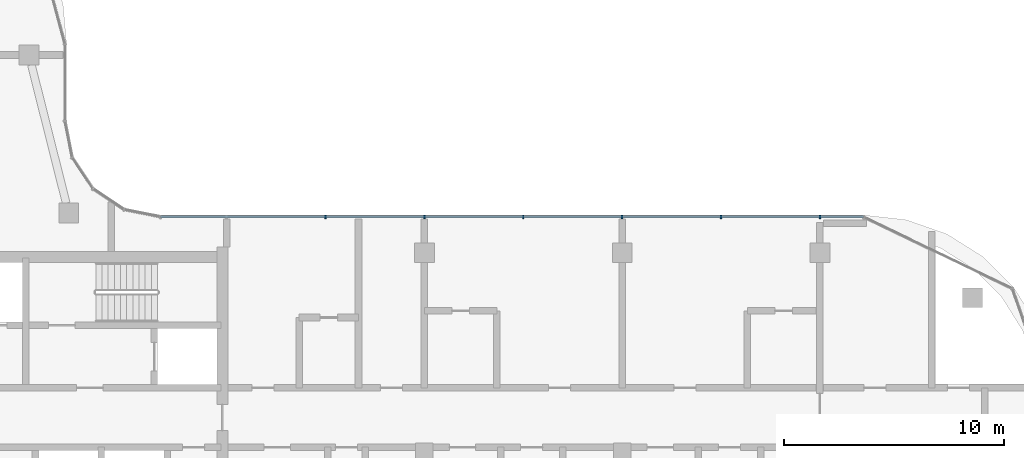
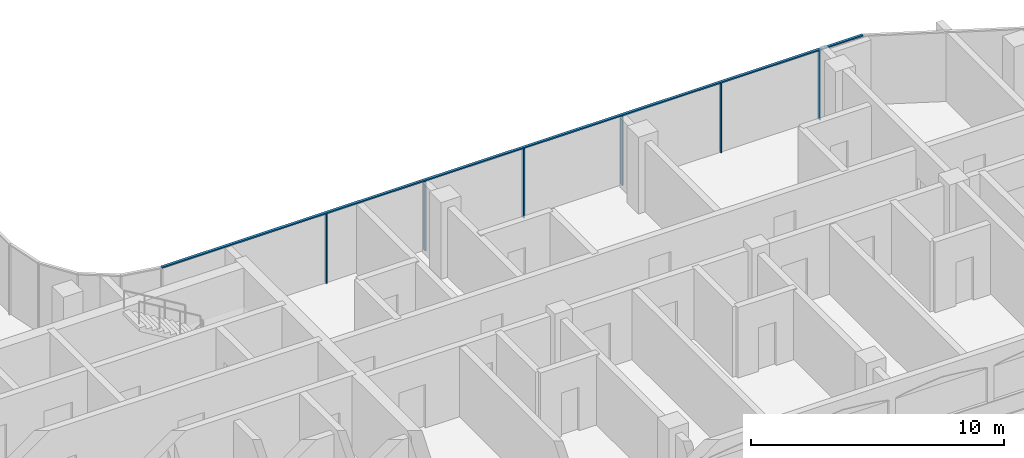
# One storey, part 4 of 19: 7 members, 1 element without a shape of its own.
"""IFC4 building model written with IfcOpenShell, lengths in metres."""

import ifcopenshell
import ifcopenshell.guid

model = None  # the IFC model being written
_history = None  # IfcOwnerHistory: only IFC2X3 demands one
_inside = {}  # id of a spatial element -> (the spatial element, [elements in it])
_under = {}  # id of a project, library or spatial element -> (it, [spatial elements below it])
_declared = {}  # id of a project -> (the project, [libraries it declares])
_typed = {}  # id of a type object -> (the type object, [elements of that type])
_made_of = {}  # id of a material, layer set ... -> (it, [elements and type objects made of it])


def new_model(schema):
    """Start an empty IFC model of exactly this schema.

    Asked for "IFC4X3", IfcOpenShell would pick the latest addendum, in which some entities
    have other attributes; the version numbers below select the first issue.
    IFC2X3 requires an IfcOwnerHistory on every rooted entity: one is made here for all.
    """
    global model, _history
    if schema == "IFC4X3":
        model = ifcopenshell.file(schema_version=(4, 3, 0, 0))
    else:
        model = ifcopenshell.file(schema=schema)
    _inside.clear()
    _under.clear()
    _declared.clear()
    _typed.clear()
    _made_of.clear()
    _history = None
    if model.schema == "IFC2X3":
        org = make("IfcOrganization", Name="unknown")
        user = make(
            "IfcPersonAndOrganization",
            ThePerson=make("IfcPerson", FamilyName="unknown"),
            TheOrganization=org,
        )
        app = make(
            "IfcApplication",
            ApplicationDeveloper=org,
            Version="unknown",
            ApplicationFullName="unknown",
            ApplicationIdentifier="unknown",
        )
        _history = make(
            "IfcOwnerHistory",
            OwningUser=user,
            OwningApplication=app,
            ChangeAction="ADDED",
            CreationDate=0,
        )
    return model


def make(cls, **values):
    """One entity of the class cls with the attributes given. An attribute that is None is left unset."""
    return model.create_entity(
        cls, **{name: value for name, value in values.items() if value is not None}
    )


def rooted(cls, **values):
    """An entity with a GlobalId (a new one), such as an element, a storey or a relation."""
    return make(cls, GlobalId=ifcopenshell.guid.new(), OwnerHistory=_history, **values)


def si_unit(unit_type, name, prefix=None):
    """IfcSIUnit, for example si_unit("LENGTHUNIT", "METRE", prefix="MILLI")."""
    return make("IfcSIUnit", UnitType=unit_type, Prefix=prefix, Name=name)


def assignment(units):
    """IfcUnitAssignment: the units of a project."""
    return None if units is None else make("IfcUnitAssignment", Units=units)


def point(xyz):
    """IfcCartesianPoint."""
    return None if xyz is None else make("IfcCartesianPoint", Coordinates=xyz)


def direction(xyz):
    """IfcDirection."""
    return None if xyz is None else make("IfcDirection", DirectionRatios=xyz)


def frame(location, z_axis=None, x_axis=None):
    """IfcAxis2Placement3D, a coordinate frame: its origin and axes. An axis left out is left unset."""
    return make(
        "IfcAxis2Placement3D",
        Location=point(location),
        Axis=direction(z_axis),
        RefDirection=direction(x_axis),
    )


def frame_2d(location, x_axis=None):
    """IfcAxis2Placement2D, a coordinate frame in the plane: its origin and x axis."""
    return make(
        "IfcAxis2Placement2D", Location=point(location), RefDirection=direction(x_axis)
    )


def origin():
    """The frame at (0, 0, 0) with its axes left unset."""
    return frame((0.0, 0.0, 0.0))


def origin_2d():
    """The frame at (0, 0) in the plane with its x axis left unset."""
    return frame_2d((0.0, 0.0))


def place(relative_to, where):
    """IfcLocalPlacement: puts the frame where relative to a parent placement (None: the world)."""
    return make(
        "IfcLocalPlacement", PlacementRelTo=relative_to, RelativePlacement=where
    )


def context(
    kind, dimensions, precision=None, world=None, true_north=None, identifier=None
):
    """IfcGeometricRepresentationContext, for example the 3D "Model" context."""
    return make(
        "IfcGeometricRepresentationContext",
        ContextIdentifier=identifier,
        ContextType=kind,
        CoordinateSpaceDimension=dimensions,
        Precision=precision,
        WorldCoordinateSystem=world,
        TrueNorth=true_north,
    )


def subcontext(parent, identifier, kind, view, scale=None):
    """IfcGeometricRepresentationSubContext, for example "Body" below "Model"."""
    return make(
        "IfcGeometricRepresentationSubContext",
        ContextIdentifier=identifier,
        ContextType=kind,
        ParentContext=parent,
        TargetScale=scale,
        TargetView=view,
    )


def project(units=None, contexts=None):
    """IfcProject with its units and contexts."""
    return rooted(
        "IfcProject",
        Name="project",
        RepresentationContexts=contexts,
        UnitsInContext=assignment(units),
    )


def spatial(cls, under=None, at=None, **own):
    """A site, building, storey or space (cls), placed at a placement, below another one or the project."""
    s = rooted(cls, ObjectPlacement=at, **own)
    if under is not None:
        _under.setdefault(under.id(), (under, []))[1].append(s)
    return s


def profile(cls, at=None, kind="AREA", **sizes):
    """A parametric profile (cls). Its sizes go by their IFC names, for example OverallWidth=200.0."""
    return make(cls, ProfileType=kind, Position=at, **sizes)


def rectangle(**sizes):
    """IfcRectangleProfileDef."""
    return profile("IfcRectangleProfileDef", **sizes)


def extrude(swept, where, along, depth):
    """IfcExtrudedAreaSolid: the profile swept, set in the frame where, extruded along a direction by depth."""
    return make(
        "IfcExtrudedAreaSolid",
        SweptArea=swept,
        Position=where,
        ExtrudedDirection=direction(along),
        Depth=depth,
    )


def shape(context_of_items, identifier, shape_type, items):
    """IfcShapeRepresentation: the items that make up one representation, for example the "Body"."""
    return make(
        "IfcShapeRepresentation",
        ContextOfItems=context_of_items,
        RepresentationIdentifier=identifier,
        RepresentationType=shape_type,
        Items=items,
    )


def material(Name=None, Category=None):
    """IfcMaterial."""
    return make("IfcMaterial", Name=Name, Category=Category)


def material_profile(
    of_material, cross_section, Name=None, Category=None, Priority=None
):
    """IfcMaterialProfile: a cross section and its material."""
    return make(
        "IfcMaterialProfile",
        Name=Name,
        Material=of_material,
        Profile=cross_section,
        Priority=Priority,
        Category=Category,
    )


def profile_set(profiles, Name=None, composite=None):
    """IfcMaterialProfileSet."""
    return make(
        "IfcMaterialProfileSet",
        Name=Name,
        MaterialProfiles=profiles,
        CompositeProfile=composite,
    )


def made_of(thing, what):
    """Note that an element or type object is made of a material, layer set ...; save() writes the relation."""
    if what is not None:
        _made_of.setdefault(what.id(), (what, []))[1].append(thing)
    return thing


def type_object(cls, material=None, **own):
    """A type object (cls), such as IfcWallType, which elements share."""
    return made_of(rooted(cls, **own), material)


def element(
    cls,
    number,
    at=None,
    inside=None,
    cuts=None,
    type_object=None,
    material=None,
    context=None,
    identifier="Body",
    shape_type=None,
    held_by="IfcProductDefinitionShape",
    body=None,
    shapes=None,
    **own,
):
    """One element of the class cls, such as IfcWall. Its Tag is "e" and its number.

    at: its placement. inside: the storey or other place that contains it. cuts: it is an
    opening in that element (IfcRelVoidsElement). A single representation is given by context,
    identifier, shape_type and body (its items); several are given by shapes. held_by: the class
    of the entity that holds the representations. save() writes the other relations.
    """
    e = rooted(cls, Tag="e%d" % number, ObjectPlacement=at, **own)
    if body is not None:
        shapes = [shape(context, identifier, shape_type, body)]
    if shapes is not None:
        e.Representation = make(held_by, Representations=shapes)
    if inside is not None:
        _inside.setdefault(inside.id(), (inside, []))[1].append(e)
    if cuts is not None:
        rooted(
            "IfcRelVoidsElement", RelatingBuildingElement=cuts, RelatedOpeningElement=e
        )
    if type_object is not None:
        _typed.setdefault(type_object.id(), (type_object, []))[1].append(e)
    return made_of(e, material)


def aggregate(whole, parts):
    """IfcRelAggregates: a whole, such as a stair, and the parts it consists of."""
    return rooted("IfcRelAggregates", RelatingObject=whole, RelatedObjects=parts)


def save(model, path):
    """Write the relations noted so far, then the file.

    IfcRelAggregates (storeys below a building ...), IfcRelContainedInSpatialStructure (elements
    in a storey), IfcRelDefinesByType, IfcRelAssociatesMaterial and IfcRelDeclares: one each for
    every whole, place, type object, material and project.
    """
    for whole, parts in _under.values():
        aggregate(whole, parts)
    for where, things in _inside.values():
        rooted(
            "IfcRelContainedInSpatialStructure",
            RelatedElements=things,
            RelatingStructure=where,
        )
    for kind, things in _typed.values():
        rooted("IfcRelDefinesByType", RelatedObjects=things, RelatingType=kind)
    for what, things in _made_of.values():
        rooted("IfcRelAssociatesMaterial", RelatedObjects=things, RelatingMaterial=what)
    for by, libraries in _declared.values():
        rooted("IfcRelDeclares", RelatingContext=by, RelatedDefinitions=libraries)
    model.write(path)


model = new_model("IFC4")

# Units and contexts
model_context = context("Model", 3, precision=1e-05, world=origin(), true_north=direction((0.0, 1.0)))
body_context = subcontext(model_context, "Body", "Model", "MODEL_VIEW")
ifc_project = project(units=[si_unit("LENGTHUNIT", "METRE"), si_unit("AREAUNIT", "SQUARE_METRE"), si_unit("VOLUMEUNIT", "CUBIC_METRE"), si_unit("PLANEANGLEUNIT", "RADIAN"), si_unit("MASSUNIT", "GRAM", prefix="KILO")], contexts=[model_context])

# Site, building, storey
site_placement = place(None, origin())
site = spatial("IfcSite", under=ifc_project, at=site_placement, CompositionType="ELEMENT")
building_placement = place(site_placement, origin())
building = spatial("IfcBuilding", under=site, at=building_placement, Name="Ogive Portal Towers", CompositionType="ELEMENT")
storey_placement = place(building_placement, frame((0.0, 0.0, 203.199951171875)))
storey = spatial("IfcBuildingStorey", under=building, at=storey_placement, Name="L50", CompositionType="ELEMENT", Elevation=203.199951171875)

# Curtain wall, members
ifc_material_1 = material(Name="Glass, clear low-iron insulated glazing", Category="glass")
curtain_wall_type = type_object("IfcCurtainWallType", Name="CW FRONT RIBBON 4500", PredefinedType="NOTDEFINED", material=ifc_material_1)
curtain_wall_placement = place(storey_placement, origin())
curtain_wall = element("IfcCurtainWall", 1, at=curtain_wall_placement, inside=storey, type_object=curtain_wall_type, Name="A:L50:f13:cw0", PredefinedType="NOTDEFINED")
ifc_material_2 = material(Name="Aluminium 6063 anodised", Category="aluminium")
ifc_material_profile_1 = material_profile(ifc_material_2, rectangle(XDim=0.159912109375, YDim=0.06005859375, at=origin_2d()), Name="AL 60x160")
ifc_profile_set_1 = profile_set([ifc_material_profile_1], Name="Aluminium 6063 anodised")
member_type_1 = type_object("IfcMemberType", Name="CW MULLION 60x160", PredefinedType="MULLION", material=ifc_profile_set_1)
member_1_placement = place(storey_placement, frame((85.5, 41.135009765625, 0.0), z_axis=(0.0, 0.0, 1.0), x_axis=(0.0, -1.0, 0.0)))
member_1 = element("IfcMember", 2, at=member_1_placement, type_object=member_type_1, Name="mullion", PredefinedType="MULLION", context=body_context, shape_type="SweptSolid", body=[
    extrude(rectangle(XDim=0.159912109375, YDim=0.06005859375, at=origin_2d()), origin(), (0.0, 0.0, 1.0), 3.340087890625),
])
member_2_placement = place(storey_placement, frame((81.0, 41.135009765625, 0.0), z_axis=(0.0, 0.0, 1.0), x_axis=(0.0, -1.0, 0.0)))
member_2 = element("IfcMember", 3, at=member_2_placement, type_object=member_type_1, Name="mullion", PredefinedType="MULLION", context=body_context, shape_type="SweptSolid", body=[
    extrude(rectangle(XDim=0.159912109375, YDim=0.06005859375, at=origin_2d()), origin(), (0.0, 0.0, 1.0), 3.340087890625),
])
member_3_placement = place(storey_placement, frame((76.5, 41.135009765625, 0.0), z_axis=(0.0, 0.0, 1.0), x_axis=(0.0, -1.0, 0.0)))
member_3 = element("IfcMember", 4, at=member_3_placement, type_object=member_type_1, Name="mullion", PredefinedType="MULLION", context=body_context, shape_type="SweptSolid", body=[
    extrude(rectangle(XDim=0.159912109375, YDim=0.06005859375, at=origin_2d()), origin(), (0.0, 0.0, 1.0), 3.340087890625),
])
member_4_placement = place(storey_placement, frame((72.0, 41.135009765625, 0.0), z_axis=(0.0, 0.0, 1.0), x_axis=(0.0, -1.0, 0.0)))
member_4 = element("IfcMember", 5, at=member_4_placement, type_object=member_type_1, Name="mullion", PredefinedType="MULLION", context=body_context, shape_type="SweptSolid", body=[
    extrude(rectangle(XDim=0.159912109375, YDim=0.06005859375, at=origin_2d()), origin(), (0.0, 0.0, 1.0), 3.340087890625),
])
member_5_placement = place(storey_placement, frame((67.5, 41.135009765625, 0.0), z_axis=(0.0, 0.0, 1.0), x_axis=(0.0, -1.0, 0.0)))
member_5 = element("IfcMember", 6, at=member_5_placement, type_object=member_type_1, Name="mullion", PredefinedType="MULLION", context=body_context, shape_type="SweptSolid", body=[
    extrude(rectangle(XDim=0.159912109375, YDim=0.06005859375, at=origin_2d()), origin(), (0.0, 0.0, 1.0), 3.340087890625),
])
member_6_placement = place(storey_placement, frame((63.0, 41.135009765625, 0.0), z_axis=(0.0, 0.0, 1.0), x_axis=(0.0, -1.0, 0.0)))
member_6 = element("IfcMember", 7, at=member_6_placement, type_object=member_type_1, Name="mullion", PredefinedType="MULLION", context=body_context, shape_type="SweptSolid", body=[
    extrude(rectangle(XDim=0.159912109375, YDim=0.06005859375, at=origin_2d()), origin(), (0.0, 0.0, 1.0), 3.340087890625),
])
ifc_material_profile_2 = material_profile(ifc_material_2, rectangle(XDim=0.1201171875, YDim=0.06005859375, at=origin_2d()), Name="AL 120x60")
ifc_profile_set_2 = profile_set([ifc_material_profile_2], Name="Aluminium 6063 anodised")
member_type_2 = type_object("IfcMemberType", Name="CW TRANSOM 60x120", PredefinedType="USERDEFINED", material=ifc_profile_set_2)
member_7_placement = place(storey_placement, frame((87.481689453125, 41.135009765625, 3.3701171875), z_axis=(-1.0, 0.0, 0.0), x_axis=(0.0, -1.0, 0.0)))
member_7 = element("IfcMember", 8, at=member_7_placement, type_object=member_type_2, Name="transom", ObjectType="TRANSOM", PredefinedType="USERDEFINED", context=body_context, shape_type="SweptSolid", body=[
    extrude(rectangle(XDim=0.1201171875, YDim=0.06005859375, at=origin_2d()), origin(), (0.0, 0.0, 1.0), 31.989501953125),
])
aggregate(curtain_wall, [member_7, member_1, member_2, member_3, member_4, member_5, member_6])

save(model, "model.ifc")
